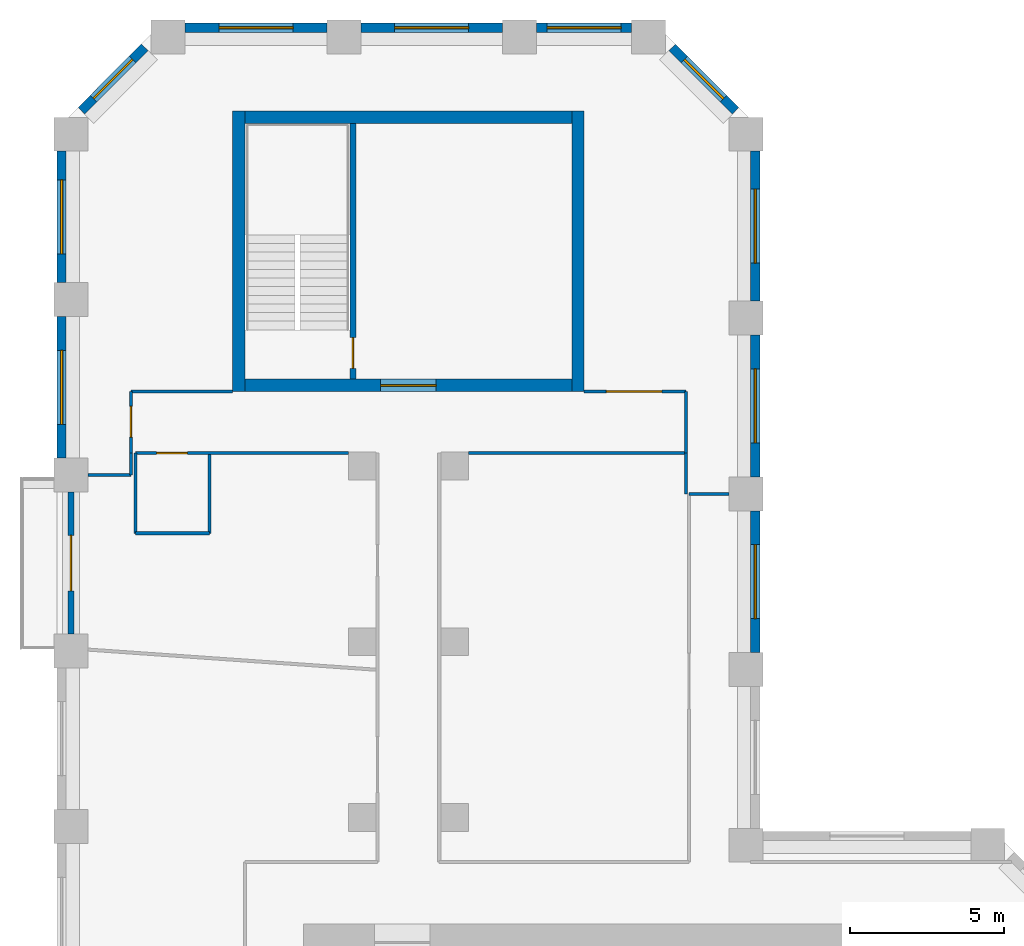
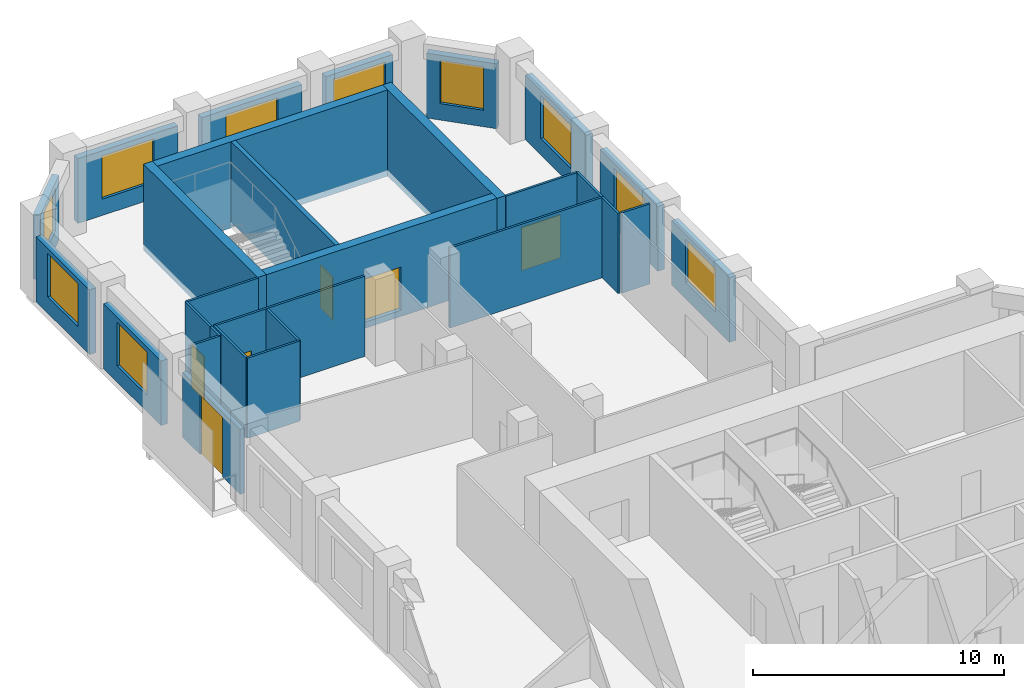
# One storey, part 8 of 10: 29 walls, 10 windows, 6 doors, 16 openings.
"""IFC4 building model written with IfcOpenShell, lengths in metres."""

from ifc_helpers import new_model, si_unit, direction, frame, frame_2d, origin, place, context, subcontext, project, spatial, rectangle, extrude, material, layer, layer_set, type_object, element, fill, save


model = new_model("IFC4")

# Units and contexts
model_context = context("Model", 3, precision=1e-05, world=origin(), true_north=direction((0.0, 1.0)))
body_context = subcontext(model_context, "Body", "Model", "MODEL_VIEW")
ifc_project = project(units=[si_unit("LENGTHUNIT", "METRE"), si_unit("AREAUNIT", "SQUARE_METRE"), si_unit("VOLUMEUNIT", "CUBIC_METRE"), si_unit("PLANEANGLEUNIT", "RADIAN"), si_unit("MASSUNIT", "GRAM", prefix="KILO")], contexts=[model_context])

# Site, building, storey
site_placement = place(None, origin())
site = spatial("IfcSite", under=ifc_project, at=site_placement, CompositionType="ELEMENT")
building_placement = place(site_placement, origin())
building = spatial("IfcBuilding", under=site, at=building_placement, Name="Meshkara Civic Tower", CompositionType="ELEMENT")
storey_placement = place(building_placement, frame((0.0, 0.0, 234.0)))
storey = spatial("IfcBuildingStorey", under=building, at=storey_placement, Name="L53", CompositionType="ELEMENT", Elevation=234.0)

# Wall, opening, door
ifc_material_1 = material(Name="Corridor wall 100")
ifc_layer_1 = layer(ifc_material_1, 0.10009765625)
ifc_layer_set_1 = layer_set([ifc_layer_1], Name="Corridor wall 100")
wall_type_1 = type_object("IfcWallType", Name="Corridor wall 100", PredefinedType="PARTITIONING", material=ifc_layer_set_1)
wall_1_placement = place(storey_placement, frame((2.39990234375, 54.169921875, 0.0), z_axis=(0.0, 0.0, 1.0), x_axis=(0.0, -1.0, 0.0)))
wall_1 = element("IfcWall", 1, at=wall_1_placement, inside=storey, type_object=wall_type_1, Name="L53-W001", PredefinedType="PARTITIONING", context=body_context, shape_type="SweptSolid", body=[
    extrude(rectangle(XDim=2.0, YDim=0.10009765625, at=frame_2d((1.0, 0.0))), origin(), (0.0, 0.0, 1.0), 3.89990234375),
])
opening_1_placement = place(wall_1_placement, frame((0.47998046875, 0.0, 0.0)))
opening_1 = element("IfcOpeningElement", 2, at=opening_1_placement, cuts=wall_1, Name="Opening L53-D016", PredefinedType="OPENING", context=body_context, shape_type="SweptSolid", body=[
    extrude(rectangle(XDim=1.0, YDim=2.10009765625, at=frame_2d((0.5, 1.050048828125))), frame((0.0, 0.06005859375, 0.0), z_axis=(0.0, -1.0, 0.0), x_axis=(1.0, 0.0, 0.0)), (0.0, 0.0, 1.0), 0.1201171875),
])
ifc_material_2 = material(Name="Door 1000 x 2100")
door_type_1 = type_object("IfcDoorType", Name="Door 1000 x 2100", OperationType="SINGLE_SWING_LEFT", PredefinedType="DOOR", material=ifc_material_2)
door_1_placement = place(opening_1_placement, origin())
door_1 = element("IfcDoor", 3, at=door_1_placement, inside=storey, type_object=door_type_1, Name="L53-D016", OperationType="SINGLE_SWING_RIGHT", OverallHeight=2.10009765625, OverallWidth=1.0, PredefinedType="DOOR", context=body_context, shape_type="SweptSolid", body=[
    extrude(rectangle(XDim=1.0, YDim=2.10009765625, at=frame_2d((0.5, 1.050048828125))), frame((0.0, 0.02490234375, 0.0), z_axis=(0.0, -1.0, 0.0), x_axis=(1.0, 0.0, 0.0)), (0.0, 0.0, 1.0), 0.050048828125),
])
fill(opening_1, door_1)

wall_2_placement = place(storey_placement, frame((2.550048828125, 52.169921875, 0.0), z_axis=(0.0, 0.0, 1.0), x_axis=(1.0, 0.0, 0.0)))
wall_2 = element("IfcWall", 4, at=wall_2_placement, inside=storey, type_object=wall_type_1, Name="L53-W002", PredefinedType="PARTITIONING", context=body_context, shape_type="SweptSolid", body=[
    extrude(rectangle(XDim=6.89990234375, YDim=0.10009765625, at=frame_2d((3.449951171875, 0.0))), origin(), (0.0, 0.0, 1.0), 3.89990234375),
])
opening_2_placement = place(wall_2_placement, frame((0.679931640625, 0.0, 0.0)))
opening_2 = element("IfcOpeningElement", 5, at=opening_2_placement, cuts=wall_2, Name="Opening L53-D017", PredefinedType="OPENING", context=body_context, shape_type="SweptSolid", body=[
    extrude(rectangle(XDim=1.0, YDim=2.10009765625, at=frame_2d((0.5, 1.050048828125))), frame((0.0, 0.06005859375, 0.0), z_axis=(0.0, -1.0, 0.0), x_axis=(1.0, 0.0, 0.0)), (0.0, 0.0, 1.0), 0.1201171875),
])
door_2_placement = place(opening_2_placement, origin())
door_2 = element("IfcDoor", 6, at=door_2_placement, inside=storey, type_object=door_type_1, Name="L53-D017", OperationType="SINGLE_SWING_RIGHT", OverallHeight=2.10009765625, OverallWidth=1.0, PredefinedType="DOOR", context=body_context, shape_type="SweptSolid", body=[
    extrude(rectangle(XDim=1.0, YDim=2.10009765625, at=frame_2d((0.5, 1.050048828125))), frame((0.0, 0.02490234375, 0.0), z_axis=(0.0, -1.0, 0.0), x_axis=(1.0, 0.0, 0.0)), (0.0, 0.0, 1.0), 0.050048828125),
])
fill(opening_2, door_2)

# Walls
wall_3_placement = place(storey_placement, frame((5.699951171875, 54.169921875, 0.0), z_axis=(0.0, 0.0, 1.0), x_axis=(-1.0, 0.0, 0.0)))
element("IfcWall", 7, at=wall_3_placement, inside=storey, type_object=wall_type_1, Name="L53-W003", PredefinedType="PARTITIONING", context=body_context, shape_type="SweptSolid", body=[
    extrude(rectangle(XDim=3.300048828125, YDim=0.10009765625, at=frame_2d((1.64990234375, 0.0))), origin(), (0.0, 0.0, 1.0), 3.89990234375),
])
wall_4_placement = place(storey_placement, frame((13.35009765625, 52.169921875, 0.0), z_axis=(0.0, 0.0, 1.0), x_axis=(1.0, 0.0, 0.0)))
element("IfcWall", 8, at=wall_4_placement, inside=storey, type_object=wall_type_1, Name="L53-W015", PredefinedType="PARTITIONING", context=body_context, shape_type="SweptSolid", body=[
    extrude(rectangle(XDim=7.0498046875, YDim=0.10009765625, at=frame_2d((3.52490234375, 0.0))), origin(), (0.0, 0.0, 1.0), 3.89990234375),
])
wall_5_placement = place(storey_placement, frame((20.39990234375, 52.169921875, 0.0), z_axis=(0.0, 0.0, 1.0), x_axis=(0.0, 1.0, 0.0)))
element("IfcWall", 9, at=wall_5_placement, inside=storey, type_object=wall_type_1, Name="L53-W016", PredefinedType="PARTITIONING", context=body_context, shape_type="SweptSolid", body=[
    extrude(rectangle(XDim=2.0, YDim=0.10009765625, at=frame_2d((1.0, 0.0))), origin(), (0.0, 0.0, 1.0), 3.89990234375),
])

# Wall, opening, door
wall_6_placement = place(storey_placement, frame((20.39990234375, 54.169921875, 0.0), z_axis=(0.0, 0.0, 1.0), x_axis=(-1.0, 0.0, 0.0)))
wall_6 = element("IfcWall", 10, at=wall_6_placement, inside=storey, type_object=wall_type_1, Name="L53-W017", PredefinedType="PARTITIONING", context=body_context, shape_type="SweptSolid", body=[
    extrude(rectangle(XDim=3.2998046875, YDim=0.10009765625, at=frame_2d((1.64990234375, 0.0))), origin(), (0.0, 0.0, 1.0), 3.89990234375),
])
opening_3_placement = place(wall_6_placement, frame((0.780029296875, 0.0, 0.0)))
opening_3 = element("IfcOpeningElement", 11, at=opening_3_placement, cuts=wall_6, Name="Opening L53-D019", PredefinedType="OPENING", context=body_context, shape_type="SweptSolid", body=[
    extrude(rectangle(XDim=1.800048828125, YDim=2.10009765625, at=frame_2d((0.89990234375, 1.050048828125))), frame((0.0, 0.06005859375, 0.0), z_axis=(0.0, -1.0, 0.0), x_axis=(1.0, 0.0, 0.0)), (0.0, 0.0, 1.0), 0.1201171875),
])
ifc_material_3 = material(Name="Door pair 1800 x 2100")
door_type_2 = type_object("IfcDoorType", Name="Door pair 1800 x 2100", OperationType="SINGLE_SWING_LEFT", PredefinedType="DOOR", material=ifc_material_3)
door_3_placement = place(opening_3_placement, origin())
door_3 = element("IfcDoor", 12, at=door_3_placement, inside=storey, type_object=door_type_2, Name="L53-D019", OperationType="DOUBLE_DOOR_SINGLE_SWING", OverallHeight=2.10009765625, OverallWidth=1.800048828125, PredefinedType="DOOR", context=body_context, shape_type="SweptSolid", body=[
    extrude(rectangle(XDim=1.800048828125, YDim=2.10009765625, at=frame_2d((0.89990234375, 1.050048828125))), frame((0.0, 0.02490234375, 0.0), z_axis=(0.0, -1.0, 0.0), x_axis=(1.0, 0.0, 0.0)), (0.0, 0.0, 1.0), 0.050048828125),
])
fill(opening_3, door_3)

# Wall
wall_7_placement = place(storey_placement, frame((21.800048828125, 50.85009765625, 0.0), z_axis=(0.0, 0.0, 1.0), x_axis=(-1.0, 0.0, 0.0)))
element("IfcWall", 13, at=wall_7_placement, inside=storey, type_object=wall_type_1, Name="L53-W020", PredefinedType="PARTITIONING", context=body_context, shape_type="SweptSolid", body=[
    extrude(rectangle(XDim=1.300048828125, YDim=0.10009765625, at=frame_2d((0.64990234375, 0.0))), origin(), (0.0, 0.0, 1.0), 3.89990234375),
])

# Wall, opening, window
ifc_material_4 = material(Name="Insulated infill panel with bronze anodised aluminium cladding", Category="aluminium")
ifc_layer_2 = layer(ifc_material_4, 0.300048828125)
ifc_layer_set_2 = layer_set([ifc_layer_2], Name="EXTERNAL INFILL WALL 300")
wall_type_2 = type_object("IfcWallType", Name="EXTERNAL INFILL WALL 300", PredefinedType="SOLIDWALL", material=ifc_layer_set_2)
wall_8_placement = place(storey_placement, frame((22.64990234375, 45.699951171875, 0.0), z_axis=(0.0, 0.0, 1.0), x_axis=(0.0, 1.0, 0.0)))
wall_8 = element("IfcWall", 14, at=wall_8_placement, inside=storey, type_object=wall_type_2, Name="External wall", PredefinedType="SOLIDWALL", context=body_context, shape_type="SweptSolid", body=[
    extrude(rectangle(XDim=4.60009765625, YDim=0.300048828125, at=frame_2d((2.300048828125, 0.0))), origin(), (0.0, 0.0, 1.0), 3.14990234375),
])
opening_4_placement = place(wall_8_placement, frame((1.10009765625, 0.0, 0.800048828125)))
opening_4 = element("IfcOpeningElement", 15, at=opening_4_placement, cuts=wall_8, Name="Opening W7", PredefinedType="OPENING", context=body_context, shape_type="SweptSolid", body=[
    extrude(rectangle(XDim=2.39990234375, YDim=2.10009765625, at=frame_2d((1.199951171875, 1.050048828125))), frame((0.0, 0.159912109375, 0.0), z_axis=(0.0, -1.0, 0.0), x_axis=(1.0, 0.0, 0.0)), (0.0, 0.0, 1.0), 0.320068359375),
])
ifc_material_5 = material(Name="Tinted double glazing", Category="glass")
window_type_1 = type_object("IfcWindowType", Name="WINDOW 2400x2100", PartitioningType="DOUBLE_PANEL_VERTICAL", PredefinedType="WINDOW", material=ifc_material_5)
window_1_placement = place(opening_4_placement, origin())
window_1 = element("IfcWindow", 16, at=window_1_placement, inside=storey, type_object=window_type_1, Name="Window", OverallHeight=2.10009765625, OverallWidth=2.39990234375, PartitioningType="DOUBLE_PANEL_VERTICAL", PredefinedType="WINDOW", context=body_context, shape_type="SweptSolid", body=[
    extrude(rectangle(XDim=2.39990234375, YDim=2.10009765625, at=frame_2d((1.199951171875, 1.050048828125))), frame((0.0, 0.030029296875, 0.0), z_axis=(0.0, -1.0, 0.0), x_axis=(1.0, 0.0, 0.0)), (0.0, 0.0, 1.0), 0.06005859375),
])
fill(opening_4, window_1)

wall_9_placement = place(storey_placement, frame((22.64990234375, 51.39990234375, 0.0), z_axis=(0.0, 0.0, 1.0), x_axis=(0.0, 1.0, 0.0)))
wall_9 = element("IfcWall", 17, at=wall_9_placement, inside=storey, type_object=wall_type_2, Name="External wall", PredefinedType="SOLIDWALL", context=body_context, shape_type="SweptSolid", body=[
    extrude(rectangle(XDim=4.60009765625, YDim=0.300048828125, at=frame_2d((2.300048828125, 0.0))), origin(), (0.0, 0.0, 1.0), 3.14990234375),
])
opening_5_placement = place(wall_9_placement, frame((1.10009765625, 0.0, 0.800048828125)))
opening_5 = element("IfcOpeningElement", 18, at=opening_5_placement, cuts=wall_9, Name="Opening W7", PredefinedType="OPENING", context=body_context, shape_type="SweptSolid", body=[
    extrude(rectangle(XDim=2.39990234375, YDim=2.10009765625, at=frame_2d((1.199951171875, 1.050048828125))), frame((0.0, 0.159912109375, 0.0), z_axis=(0.0, -1.0, 0.0), x_axis=(1.0, 0.0, 0.0)), (0.0, 0.0, 1.0), 0.320068359375),
])
window_2_placement = place(opening_5_placement, origin())
window_2 = element("IfcWindow", 19, at=window_2_placement, inside=storey, type_object=window_type_1, Name="Window", OverallHeight=2.10009765625, OverallWidth=2.39990234375, PartitioningType="DOUBLE_PANEL_VERTICAL", PredefinedType="WINDOW", context=body_context, shape_type="SweptSolid", body=[
    extrude(rectangle(XDim=2.39990234375, YDim=2.10009765625, at=frame_2d((1.199951171875, 1.050048828125))), frame((0.0, 0.030029296875, 0.0), z_axis=(0.0, -1.0, 0.0), x_axis=(1.0, 0.0, 0.0)), (0.0, 0.0, 1.0), 0.06005859375),
])
fill(opening_5, window_2)

wall_10_placement = place(storey_placement, frame((22.64990234375, 57.10009765625, 0.0), z_axis=(0.0, 0.0, 1.0), x_axis=(0.0, 1.0, 0.0)))
wall_10 = element("IfcWall", 20, at=wall_10_placement, inside=storey, type_object=wall_type_2, Name="External wall", PredefinedType="SOLIDWALL", context=body_context, shape_type="SweptSolid", body=[
    extrude(rectangle(XDim=4.864013671875, YDim=0.300048828125, at=frame_2d((2.43212890625, 0.0))), origin(), (0.0, 0.0, 1.0), 3.14990234375),
])
opening_6_placement = place(wall_10_placement, frame((1.23193359375, 0.0, 0.800048828125)))
opening_6 = element("IfcOpeningElement", 21, at=opening_6_placement, cuts=wall_10, Name="Opening W7", PredefinedType="OPENING", context=body_context, shape_type="SweptSolid", body=[
    extrude(rectangle(XDim=2.39990234375, YDim=2.10009765625, at=frame_2d((1.199951171875, 1.050048828125))), frame((0.0, 0.159912109375, 0.0), z_axis=(0.0, -1.0, 0.0), x_axis=(1.0, 0.0, 0.0)), (0.0, 0.0, 1.0), 0.320068359375),
])
window_3_placement = place(opening_6_placement, origin())
window_3 = element("IfcWindow", 22, at=window_3_placement, inside=storey, type_object=window_type_1, Name="Window", OverallHeight=2.10009765625, OverallWidth=2.39990234375, PartitioningType="DOUBLE_PANEL_VERTICAL", PredefinedType="WINDOW", context=body_context, shape_type="SweptSolid", body=[
    extrude(rectangle(XDim=2.39990234375, YDim=2.10009765625, at=frame_2d((1.199951171875, 1.050048828125))), frame((0.0, 0.030029296875, 0.0), z_axis=(0.0, -1.0, 0.0), x_axis=(1.0, 0.0, 0.0)), (0.0, 0.0, 1.0), 0.06005859375),
])
fill(opening_6, window_3)

wall_11_placement = place(storey_placement, frame((22.011962890625, 63.27587890625, 0.0), z_axis=(0.0, 0.0, 1.0), x_axis=(-0.707064797706, 0.707148762175, 0.0)))
wall_11 = element("IfcWall", 23, at=wall_11_placement, inside=storey, type_object=wall_type_2, Name="External wall", PredefinedType="SOLIDWALL", context=body_context, shape_type="SweptSolid", body=[
    extrude(rectangle(XDim=2.90771484375, YDim=0.300048828125, at=frame_2d((1.453857421875, 0.0))), origin(), (0.0, 0.0, 1.0), 3.14990234375),
])
opening_7_placement = place(wall_11_placement, frame((0.553955078125, 0.0, 0.800048828125)))
opening_7 = element("IfcOpeningElement", 24, at=opening_7_placement, cuts=wall_11, Name="Opening W9", PredefinedType="OPENING", context=body_context, shape_type="SweptSolid", body=[
    extrude(rectangle(XDim=1.800048828125, YDim=2.10009765625, at=frame_2d((0.89990234375, 1.050048828125))), frame((0.0, 0.159912109375, 0.0), z_axis=(0.0, -1.0, 0.0), x_axis=(1.0, 0.0, 0.0)), (0.0, 0.0, 1.0), 0.320068359375),
])
ifc_material_6 = material(Name="Tinted double glazing", Category="glass")
window_type_2 = type_object("IfcWindowType", Name="WINDOW 1800x2100", PartitioningType="DOUBLE_PANEL_VERTICAL", PredefinedType="WINDOW", material=ifc_material_6)
window_4_placement = place(opening_7_placement, origin())
window_4 = element("IfcWindow", 25, at=window_4_placement, inside=storey, type_object=window_type_2, Name="Window", OverallHeight=2.10009765625, OverallWidth=1.800048828125, PartitioningType="DOUBLE_PANEL_VERTICAL", PredefinedType="WINDOW", context=body_context, shape_type="SweptSolid", body=[
    extrude(rectangle(XDim=1.800048828125, YDim=2.10009765625, at=frame_2d((0.89990234375, 1.050048828125))), frame((0.0, 0.030029296875, 0.0), z_axis=(0.0, -1.0, 0.0), x_axis=(1.0, 0.0, 0.0)), (0.0, 0.0, 1.0), 0.06005859375),
])
fill(opening_7, window_4)

wall_12_placement = place(storey_placement, frame((18.64404296875, 65.969970703125, 0.0), z_axis=(0.0, 0.0, 1.0), x_axis=(-1.0, 0.0, 0.0)))
wall_12 = element("IfcWall", 26, at=wall_12_placement, inside=storey, type_object=wall_type_2, Name="External wall", PredefinedType="SOLIDWALL", context=body_context, shape_type="SweptSolid", body=[
    extrude(rectangle(XDim=3.088134765625, YDim=0.300048828125, at=frame_2d((1.5439453125, 0.0))), origin(), (0.0, 0.0, 1.0), 3.14990234375),
])
opening_8_placement = place(wall_12_placement, frame((0.343994140625, 0.0, 0.800048828125)))
opening_8 = element("IfcOpeningElement", 27, at=opening_8_placement, cuts=wall_12, Name="Opening W7", PredefinedType="OPENING", context=body_context, shape_type="SweptSolid", body=[
    extrude(rectangle(XDim=2.39990234375, YDim=2.10009765625, at=frame_2d((1.199951171875, 1.050048828125))), frame((0.0, 0.159912109375, 0.0), z_axis=(0.0, -1.0, 0.0), x_axis=(1.0, 0.0, 0.0)), (0.0, 0.0, 1.0), 0.320068359375),
])
window_5_placement = place(opening_8_placement, origin())
window_5 = element("IfcWindow", 28, at=window_5_placement, inside=storey, type_object=window_type_1, Name="Window", OverallHeight=2.10009765625, OverallWidth=2.39990234375, PartitioningType="DOUBLE_PANEL_VERTICAL", PredefinedType="WINDOW", context=body_context, shape_type="SweptSolid", body=[
    extrude(rectangle(XDim=2.39990234375, YDim=2.10009765625, at=frame_2d((1.199951171875, 1.050048828125))), frame((0.0, 0.030029296875, 0.0), z_axis=(0.0, -1.0, 0.0), x_axis=(1.0, 0.0, 0.0)), (0.0, 0.0, 1.0), 0.06005859375),
])
fill(opening_8, window_5)

wall_13_placement = place(storey_placement, frame((14.4560546875, 65.969970703125, 0.0), z_axis=(0.0, 0.0, 1.0), x_axis=(-1.0, 0.0, 0.0)))
wall_13 = element("IfcWall", 29, at=wall_13_placement, inside=storey, type_object=wall_type_2, Name="External wall", PredefinedType="SOLIDWALL", context=body_context, shape_type="SweptSolid", body=[
    extrude(rectangle(XDim=4.60009765625, YDim=0.300048828125, at=frame_2d((2.300048828125, 0.0))), origin(), (0.0, 0.0, 1.0), 3.14990234375),
])
opening_9_placement = place(wall_13_placement, frame((1.10009765625, 0.0, 0.800048828125)))
opening_9 = element("IfcOpeningElement", 30, at=opening_9_placement, cuts=wall_13, Name="Opening W7", PredefinedType="OPENING", context=body_context, shape_type="SweptSolid", body=[
    extrude(rectangle(XDim=2.39990234375, YDim=2.10009765625, at=frame_2d((1.199951171875, 1.050048828125))), frame((0.0, 0.159912109375, 0.0), z_axis=(0.0, -1.0, 0.0), x_axis=(1.0, 0.0, 0.0)), (0.0, 0.0, 1.0), 0.320068359375),
])
window_6_placement = place(opening_9_placement, origin())
window_6 = element("IfcWindow", 31, at=window_6_placement, inside=storey, type_object=window_type_1, Name="Window", OverallHeight=2.10009765625, OverallWidth=2.39990234375, PartitioningType="DOUBLE_PANEL_VERTICAL", PredefinedType="WINDOW", context=body_context, shape_type="SweptSolid", body=[
    extrude(rectangle(XDim=2.39990234375, YDim=2.10009765625, at=frame_2d((1.199951171875, 1.050048828125))), frame((0.0, 0.030029296875, 0.0), z_axis=(0.0, -1.0, 0.0), x_axis=(1.0, 0.0, 0.0)), (0.0, 0.0, 1.0), 0.06005859375),
])
fill(opening_9, window_6)

wall_14_placement = place(storey_placement, frame((8.756103515625, 65.969970703125, 0.0), z_axis=(0.0, 0.0, 1.0), x_axis=(-1.0, 0.0, 0.0)))
wall_14 = element("IfcWall", 32, at=wall_14_placement, inside=storey, type_object=wall_type_2, Name="External wall", PredefinedType="SOLIDWALL", context=body_context, shape_type="SweptSolid", body=[
    extrude(rectangle(XDim=4.60009765625, YDim=0.300048828125, at=frame_2d((2.300048828125, 0.0))), origin(), (0.0, 0.0, 1.0), 3.14990234375),
])
opening_10_placement = place(wall_14_placement, frame((1.10009765625, 0.0, 0.800048828125)))
opening_10 = element("IfcOpeningElement", 33, at=opening_10_placement, cuts=wall_14, Name="Opening W7", PredefinedType="OPENING", context=body_context, shape_type="SweptSolid", body=[
    extrude(rectangle(XDim=2.39990234375, YDim=2.10009765625, at=frame_2d((1.199951171875, 1.050048828125))), frame((0.0, 0.159912109375, 0.0), z_axis=(0.0, -1.0, 0.0), x_axis=(1.0, 0.0, 0.0)), (0.0, 0.0, 1.0), 0.320068359375),
])
window_7_placement = place(opening_10_placement, origin())
window_7 = element("IfcWindow", 34, at=window_7_placement, inside=storey, type_object=window_type_1, Name="Window", OverallHeight=2.10009765625, OverallWidth=2.39990234375, PartitioningType="DOUBLE_PANEL_VERTICAL", PredefinedType="WINDOW", context=body_context, shape_type="SweptSolid", body=[
    extrude(rectangle(XDim=2.39990234375, YDim=2.10009765625, at=frame_2d((1.199951171875, 1.050048828125))), frame((0.0, 0.030029296875, 0.0), z_axis=(0.0, -1.0, 0.0), x_axis=(1.0, 0.0, 0.0)), (0.0, 0.0, 1.0), 0.06005859375),
])
fill(opening_10, window_7)

wall_15_placement = place(storey_placement, frame((2.843994140625, 65.33203125, 0.0), z_axis=(0.0, 0.0, 1.0), x_axis=(-0.707064797706, -0.707148762175, 0.0)))
wall_15 = element("IfcWall", 35, at=wall_15_placement, inside=storey, type_object=wall_type_2, Name="External wall", PredefinedType="SOLIDWALL", context=body_context, shape_type="SweptSolid", body=[
    extrude(rectangle(XDim=2.90771484375, YDim=0.300048828125, at=frame_2d((1.453857421875, 0.0))), origin(), (0.0, 0.0, 1.0), 3.14990234375),
])
opening_11_placement = place(wall_15_placement, frame((0.553955078125, 0.0, 0.800048828125)))
opening_11 = element("IfcOpeningElement", 36, at=opening_11_placement, cuts=wall_15, Name="Opening W9", PredefinedType="OPENING", context=body_context, shape_type="SweptSolid", body=[
    extrude(rectangle(XDim=1.800048828125, YDim=2.10009765625, at=frame_2d((0.89990234375, 1.050048828125))), frame((0.0, 0.159912109375, 0.0), z_axis=(0.0, -1.0, 0.0), x_axis=(1.0, 0.0, 0.0)), (0.0, 0.0, 1.0), 0.320068359375),
])
window_8_placement = place(opening_11_placement, origin())
window_8 = element("IfcWindow", 37, at=window_8_placement, inside=storey, type_object=window_type_2, Name="Window", OverallHeight=2.10009765625, OverallWidth=1.800048828125, PartitioningType="DOUBLE_PANEL_VERTICAL", PredefinedType="WINDOW", context=body_context, shape_type="SweptSolid", body=[
    extrude(rectangle(XDim=1.800048828125, YDim=2.10009765625, at=frame_2d((0.89990234375, 1.050048828125))), frame((0.0, 0.030029296875, 0.0), z_axis=(0.0, -1.0, 0.0), x_axis=(1.0, 0.0, 0.0)), (0.0, 0.0, 1.0), 0.06005859375),
])
fill(opening_11, window_8)

wall_16_placement = place(storey_placement, frame((0.14990234375, 61.964111328125, 0.0), z_axis=(0.0, 0.0, 1.0), x_axis=(0.0, -1.0, 0.0)))
wall_16 = element("IfcWall", 38, at=wall_16_placement, inside=storey, type_object=wall_type_2, Name="External wall", PredefinedType="SOLIDWALL", context=body_context, shape_type="SweptSolid", body=[
    extrude(rectangle(XDim=4.259033203125, YDim=0.300048828125, at=frame_2d((2.12939453125, 0.0))), origin(), (0.0, 0.0, 1.0), 3.14990234375),
])
opening_12_placement = place(wall_16_placement, frame((0.929931640625, 0.0, 0.800048828125)))
opening_12 = element("IfcOpeningElement", 39, at=opening_12_placement, cuts=wall_16, Name="Opening W7", PredefinedType="OPENING", context=body_context, shape_type="SweptSolid", body=[
    extrude(rectangle(XDim=2.39990234375, YDim=2.10009765625, at=frame_2d((1.199951171875, 1.050048828125))), frame((0.0, 0.159912109375, 0.0), z_axis=(0.0, -1.0, 0.0), x_axis=(1.0, 0.0, 0.0)), (0.0, 0.0, 1.0), 0.320068359375),
])
window_9_placement = place(opening_12_placement, origin())
window_9 = element("IfcWindow", 40, at=window_9_placement, inside=storey, type_object=window_type_1, Name="Window", OverallHeight=2.10009765625, OverallWidth=2.39990234375, PartitioningType="DOUBLE_PANEL_VERTICAL", PredefinedType="WINDOW", context=body_context, shape_type="SweptSolid", body=[
    extrude(rectangle(XDim=2.39990234375, YDim=2.10009765625, at=frame_2d((1.199951171875, 1.050048828125))), frame((0.0, 0.030029296875, 0.0), z_axis=(0.0, -1.0, 0.0), x_axis=(1.0, 0.0, 0.0)), (0.0, 0.0, 1.0), 0.06005859375),
])
fill(opening_12, window_9)

wall_17_placement = place(storey_placement, frame((0.14990234375, 56.60498046875, 0.0), z_axis=(0.0, 0.0, 1.0), x_axis=(0.0, -1.0, 0.0)))
wall_17 = element("IfcWall", 41, at=wall_17_placement, inside=storey, type_object=wall_type_2, Name="External wall", PredefinedType="SOLIDWALL", context=body_context, shape_type="SweptSolid", body=[
    extrude(rectangle(XDim=4.60009765625, YDim=0.300048828125, at=frame_2d((2.300048828125, 0.0))), origin(), (0.0, 0.0, 1.0), 3.14990234375),
])
opening_13_placement = place(wall_17_placement, frame((1.10009765625, 0.0, 0.800048828125)))
opening_13 = element("IfcOpeningElement", 42, at=opening_13_placement, cuts=wall_17, Name="Opening W7", PredefinedType="OPENING", context=body_context, shape_type="SweptSolid", body=[
    extrude(rectangle(XDim=2.39990234375, YDim=2.10009765625, at=frame_2d((1.199951171875, 1.050048828125))), frame((0.0, 0.159912109375, 0.0), z_axis=(0.0, -1.0, 0.0), x_axis=(1.0, 0.0, 0.0)), (0.0, 0.0, 1.0), 0.320068359375),
])
window_10_placement = place(opening_13_placement, origin())
window_10 = element("IfcWindow", 43, at=window_10_placement, inside=storey, type_object=window_type_1, Name="Window", OverallHeight=2.10009765625, OverallWidth=2.39990234375, PartitioningType="DOUBLE_PANEL_VERTICAL", PredefinedType="WINDOW", context=body_context, shape_type="SweptSolid", body=[
    extrude(rectangle(XDim=2.39990234375, YDim=2.10009765625, at=frame_2d((1.199951171875, 1.050048828125))), frame((0.0, 0.030029296875, 0.0), z_axis=(0.0, -1.0, 0.0), x_axis=(1.0, 0.0, 0.0)), (0.0, 0.0, 1.0), 0.06005859375),
])
fill(opening_13, window_10)

# Walls
ifc_material_7 = material(Name="Concrete C60", Category="concrete")
ifc_layer_3 = layer(ifc_material_7, 0.39990234375)
ifc_layer_set_3 = layer_set([ifc_layer_3], Name="End core ring wall 400 C60")
wall_type_3 = type_object("IfcWallType", Name="End core ring wall 400 C60", PredefinedType="SHEAR", material=ifc_layer_set_3)
for number, where, z_axis, x_axis, name in (
    (44, (5.89990234375, 54.169921875, -0.300048828125), (0.0, 0.0, 1.0), (0.0, 1.0, 0.0), "L53-C023"),
    (45, (16.89990234375, 54.169921875, -0.300048828125), (0.0, 0.0, 1.0), (0.0, 1.0, 0.0), "L53-C024"),
):
    element("IfcWall", number, at=place(storey_placement, frame(where, z_axis=z_axis, x_axis=x_axis)), inside=storey, type_object=wall_type_3, Name=name, PredefinedType="SHEAR", context=body_context, shape_type="SweptSolid", body=[
        extrude(rectangle(XDim=9.10009765625, YDim=0.39990234375, at=frame_2d((4.550048828125, 0.0))), origin(), (0.0, 0.0, 1.0), 4.199951171875),
    ])

# Wall, opening, door
wall_18_placement = place(storey_placement, frame((6.10009765625, 54.3701171875, -0.300048828125), z_axis=(0.0, 0.0, 1.0), x_axis=(1.0, 0.0, 0.0)))
wall_18 = element("IfcWall", 46, at=wall_18_placement, inside=storey, type_object=wall_type_3, Name="L53-C025", PredefinedType="SHEAR", context=body_context, shape_type="SweptSolid", body=[
    extrude(rectangle(XDim=10.599853515625, YDim=0.39990234375, at=frame_2d((5.2998046875, 0.0))), origin(), (0.0, 0.0, 1.0), 4.199951171875),
])
opening_14_placement = place(wall_18_placement, frame((4.39990234375, 0.0, 0.300048828125)))
opening_14 = element("IfcOpeningElement", 47, at=opening_14_placement, cuts=wall_18, Name="Opening L53-K102", PredefinedType="OPENING", context=body_context, shape_type="SweptSolid", body=[
    extrude(rectangle(XDim=1.800048828125, YDim=2.10009765625, at=frame_2d((0.89990234375, 1.050048828125))), frame((0.0, 0.2099609375, 0.0), z_axis=(0.0, -1.0, 0.0), x_axis=(1.0, 0.0, 0.0)), (0.0, 0.0, 1.0), 0.419921875),
])
ifc_material_8 = material(Name="Fire-rated door leaf in steel frame", Category="steel")
door_type_3 = type_object("IfcDoorType", Name="Core double door 1800 EI 60", OperationType="DOUBLE_DOOR_SINGLE_SWING", PredefinedType="DOOR", material=ifc_material_8)
door_4_placement = place(opening_14_placement, origin())
door_4 = element("IfcDoor", 48, at=door_4_placement, inside=storey, type_object=door_type_3, Name="L53-K102", OperationType="DOUBLE_DOOR_SINGLE_SWING", OverallHeight=2.10009765625, OverallWidth=1.800048828125, PredefinedType="DOOR", context=body_context, shape_type="SweptSolid", body=[
    extrude(rectangle(XDim=1.800048828125, YDim=2.10009765625, at=frame_2d((0.89990234375, 1.050048828125))), frame((0.0, 0.02490234375, 0.0), z_axis=(0.0, -1.0, 0.0), x_axis=(1.0, 0.0, 0.0)), (0.0, 0.0, 1.0), 0.050048828125),
])
fill(opening_14, door_4)

# Wall
wall_19_placement = place(storey_placement, frame((6.10009765625, 63.070068359375, -0.300048828125), z_axis=(0.0, 0.0, 1.0), x_axis=(1.0, 0.0, 0.0)))
element("IfcWall", 49, at=wall_19_placement, inside=storey, type_object=wall_type_3, Name="L53-C026", PredefinedType="SHEAR", context=body_context, shape_type="SweptSolid", body=[
    extrude(rectangle(XDim=10.599853515625, YDim=0.39990234375, at=frame_2d((5.2998046875, 0.0))), origin(), (0.0, 0.0, 1.0), 4.199951171875),
])

# Wall, opening, door
ifc_material_9 = material(Name="Insulated infill panel with bronze anodised aluminium cladding", Category="aluminium")
ifc_layer_4 = layer(ifc_material_9, 0.199951171875)
ifc_layer_set_4 = layer_set([ifc_layer_4], Name="LOGGIA BACK WALL 200")
wall_type_4 = type_object("IfcWallType", Name="LOGGIA BACK WALL 200", PredefinedType="SOLIDWALL", material=ifc_layer_set_4)
wall_20_placement = place(storey_placement, frame((0.449951171875, 50.904052734375, 0.0), z_axis=(0.0, 0.0, 1.0), x_axis=(0.0, -1.0, 0.0)))
wall_20 = element("IfcWall", 50, at=wall_20_placement, inside=storey, type_object=wall_type_4, Name="Loggia wall", PredefinedType="SOLIDWALL", context=body_context, shape_type="SweptSolid", body=[
    extrude(rectangle(XDim=4.59912109375, YDim=0.199951171875, at=frame_2d((2.299560546875, 0.0))), origin(), (0.0, 0.0, 1.0), 3.14990234375),
])
opening_15_placement = place(wall_20_placement, frame((1.39892578125, 0.0, 0.0)))
opening_15 = element("IfcOpeningElement", 51, at=opening_15_placement, cuts=wall_20, Name="Opening L53-L001", PredefinedType="OPENING", context=body_context, shape_type="SweptSolid", body=[
    extrude(rectangle(XDim=1.800048828125, YDim=2.89990234375, at=frame_2d((0.89990234375, 1.449951171875))), frame((0.0, 0.10986328125, 0.0), z_axis=(0.0, -1.0, 0.0), x_axis=(1.0, 0.0, 0.0)), (0.0, 0.0, 1.0), 0.219970703125),
])
ifc_material_10 = material(Name="Tinted double glazing", Category="glass")
door_type_4 = type_object("IfcDoorType", Name="LOGGIA DOOR 1800x2900", OperationType="DOUBLE_DOOR_SINGLE_SWING", PredefinedType="DOOR", material=ifc_material_10)
door_5_placement = place(opening_15_placement, origin())
door_5 = element("IfcDoor", 52, at=door_5_placement, inside=storey, type_object=door_type_4, Name="L53-L001", OperationType="DOUBLE_DOOR_SINGLE_SWING", OverallHeight=2.89990234375, OverallWidth=1.800048828125, PredefinedType="DOOR", context=body_context, shape_type="SweptSolid", body=[
    extrude(rectangle(XDim=1.800048828125, YDim=2.89990234375, at=frame_2d((0.89990234375, 1.449951171875))), frame((0.0, 0.02490234375, 0.0), z_axis=(0.0, -1.0, 0.0), x_axis=(1.0, 0.0, 0.0)), (0.0, 0.0, 1.0), 0.050048828125),
])
fill(opening_15, door_5)

# Walls
ifc_material_11 = material(Name="Partition 100")
ifc_layer_5 = layer(ifc_material_11, 0.10009765625)
ifc_layer_set_5 = layer_set([ifc_layer_5], Name="Partition 100")
wall_type_5 = type_object("IfcWallType", Name="Partition 100", PredefinedType="PARTITIONING", material=ifc_layer_set_5)
wall_21_placement = place(storey_placement, frame((2.39990234375, 51.455078125, 0.0), z_axis=(0.0, 0.0, 1.0), x_axis=(-1.0, 0.0, 0.0)))
element("IfcWall", 53, at=wall_21_placement, inside=storey, type_object=wall_type_5, Name="L53-W039", PredefinedType="PARTITIONING", context=body_context, shape_type="SweptSolid", body=[
    extrude(rectangle(XDim=1.39990234375, YDim=0.10009765625, at=frame_2d((0.699951171875, 0.0))), origin(), (0.0, 0.0, 1.0), 3.89990234375),
])
wall_22_placement = place(storey_placement, frame((2.39990234375, 52.174072265625, 0.0), z_axis=(0.0, 0.0, 1.0), x_axis=(0.0, -1.0, 0.0)))
element("IfcWall", 54, at=wall_22_placement, inside=storey, type_object=wall_type_5, Name="L53-W040", PredefinedType="PARTITIONING", context=body_context, shape_type="SweptSolid", body=[
    extrude(rectangle(XDim=0.718994140625, YDim=0.10009765625, at=frame_2d((0.359375, 0.0))), origin(), (0.0, 0.0, 1.0), 3.89990234375),
])
wall_23_placement = place(storey_placement, frame((2.550048828125, 49.570068359375, 0.0), z_axis=(0.0, 0.0, 1.0), x_axis=(0.0, 1.0, 0.0)))
element("IfcWall", 55, at=wall_23_placement, inside=storey, type_object=wall_type_5, Name="L53-W041", PredefinedType="PARTITIONING", context=body_context, shape_type="SweptSolid", body=[
    extrude(rectangle(XDim=2.599853515625, YDim=0.10009765625, at=frame_2d((1.2998046875, 0.0))), origin(), (0.0, 0.0, 1.0), 3.89990234375),
])
wall_24_placement = place(storey_placement, frame((4.949951171875, 49.570068359375, 0.0), z_axis=(0.0, 0.0, 1.0), x_axis=(-1.0, 0.0, 0.0)))
element("IfcWall", 56, at=wall_24_placement, inside=storey, type_object=wall_type_5, Name="L53-W042", PredefinedType="PARTITIONING", context=body_context, shape_type="SweptSolid", body=[
    extrude(rectangle(XDim=2.39990234375, YDim=0.10009765625, at=frame_2d((1.199951171875, 0.0))), origin(), (0.0, 0.0, 1.0), 3.89990234375),
])
wall_25_placement = place(storey_placement, frame((4.949951171875, 52.1201171875, 0.0), z_axis=(0.0, 0.0, 1.0), x_axis=(0.0, -1.0, 0.0)))
element("IfcWall", 57, at=wall_25_placement, inside=storey, type_object=wall_type_5, Name="L53-W043", PredefinedType="PARTITIONING", context=body_context, shape_type="SweptSolid", body=[
    extrude(rectangle(XDim=2.550048828125, YDim=0.10009765625, at=frame_2d((1.27490234375, 0.0))), origin(), (0.0, 0.0, 1.0), 3.89990234375),
])
wall_26_placement = place(storey_placement, frame((20.39990234375, 50.85009765625, 0.0), z_axis=(0.0, 0.0, 1.0), x_axis=(0.0, 1.0, 0.0)))
element("IfcWall", 58, at=wall_26_placement, inside=storey, type_object=wall_type_5, Name="L53-W048", PredefinedType="PARTITIONING", context=body_context, shape_type="SweptSolid", body=[
    extrude(rectangle(XDim=1.323974609375, YDim=0.10009765625, at=frame_2d((0.662109375, 0.0))), origin(), (0.0, 0.0, 1.0), 3.89990234375),
])

# Wall, opening, door
ifc_material_12 = material(Name="Concrete C40/50", Category="concrete")
ifc_layer_6 = layer(ifc_material_12, 0.199951171875)
ifc_layer_set_6 = layer_set([ifc_layer_6], Name="Stair enclosure wall 200 C40/50")
wall_type_6 = type_object("IfcWallType", Name="Stair enclosure wall 200 C40/50", PredefinedType="SOLIDWALL", material=ifc_layer_set_6)
wall_27_placement = place(storey_placement, frame((9.60009765625, 54.570068359375, 0.0), z_axis=(0.0, 0.0, 1.0), x_axis=(0.0, 1.0, 0.0)))
wall_27 = element("IfcWall", 59, at=wall_27_placement, inside=storey, type_object=wall_type_6, Name="L53-C027", PredefinedType="SOLIDWALL", context=body_context, shape_type="SweptSolid", body=[
    extrude(rectangle(XDim=8.300048828125, YDim=0.199951171875, at=frame_2d((4.14990234375, 0.0))), origin(), (0.0, 0.0, 1.0), 3.89990234375),
])
opening_16_placement = place(wall_27_placement, frame((0.35009765625, 0.0, 0.0)))
opening_16 = element("IfcOpeningElement", 60, at=opening_16_placement, cuts=wall_27, Name="Opening L53-K101", PredefinedType="OPENING", context=body_context, shape_type="SweptSolid", body=[
    extrude(rectangle(XDim=1.0, YDim=2.10009765625, at=frame_2d((0.5, 1.050048828125))), frame((0.0, 0.10986328125, 0.0), z_axis=(0.0, -1.0, 0.0), x_axis=(1.0, 0.0, 0.0)), (0.0, 0.0, 1.0), 0.219970703125),
])
ifc_material_13 = material(Name="Fire-rated door leaf in steel frame", Category="steel")
door_type_5 = type_object("IfcDoorType", Name="Stair door 1000 EI 120", OperationType="SINGLE_SWING_LEFT", PredefinedType="DOOR", material=ifc_material_13)
door_6_placement = place(opening_16_placement, origin())
door_6 = element("IfcDoor", 61, at=door_6_placement, inside=storey, type_object=door_type_5, Name="L53-K101", OperationType="SINGLE_SWING_RIGHT", OverallHeight=2.10009765625, OverallWidth=1.0, PredefinedType="DOOR", context=body_context, shape_type="SweptSolid", body=[
    extrude(rectangle(XDim=1.0, YDim=2.10009765625, at=frame_2d((0.5, 1.050048828125))), frame((0.0, 0.02490234375, 0.0), z_axis=(0.0, -1.0, 0.0), x_axis=(1.0, 0.0, 0.0)), (0.0, 0.0, 1.0), 0.050048828125),
])
fill(opening_16, door_6)

save(model, "model.ifc")
